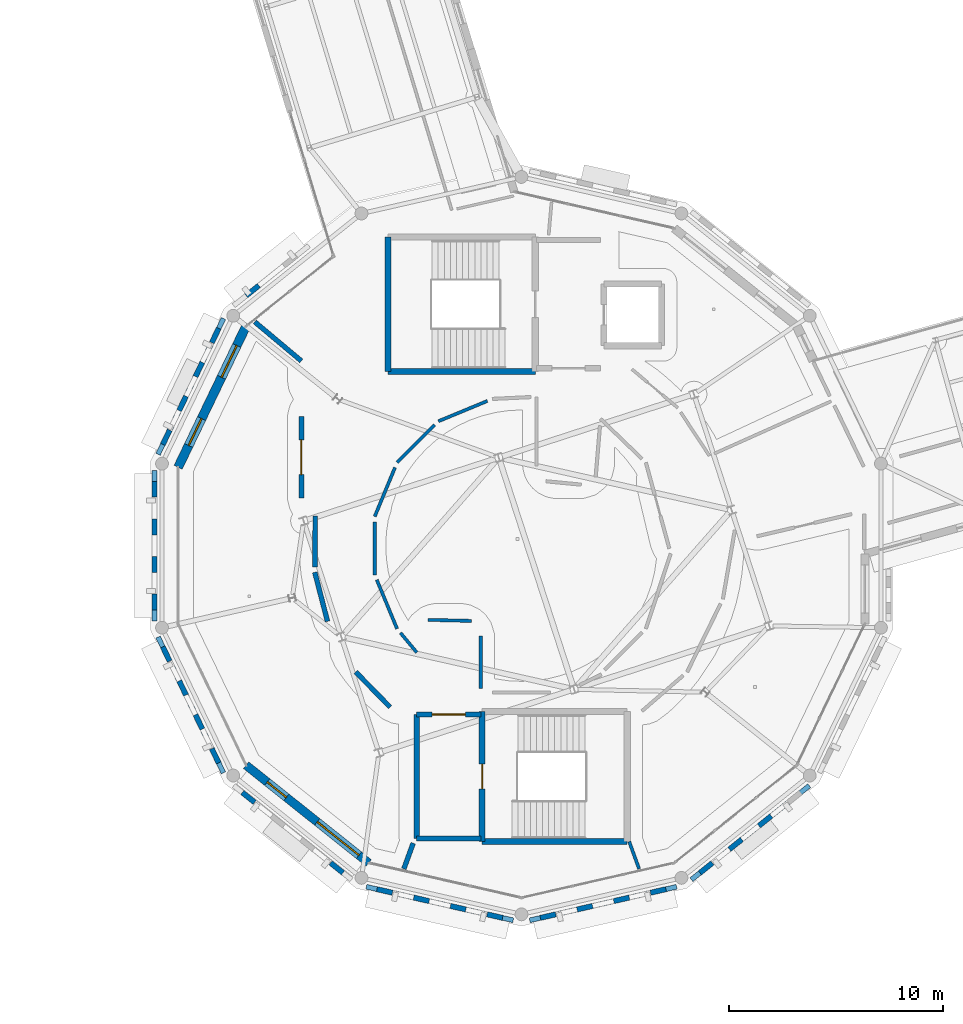
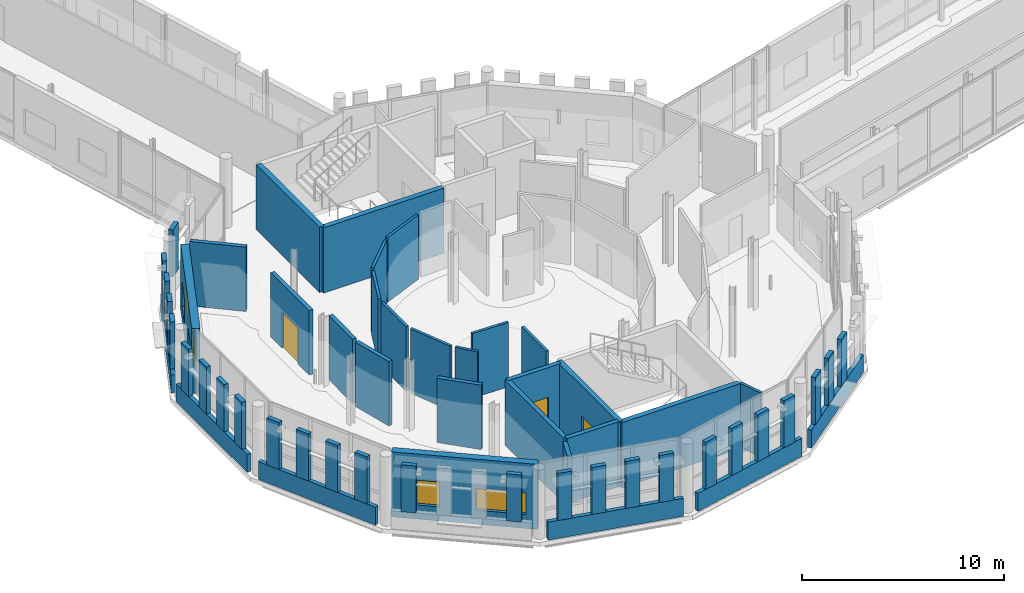
# One storey, part 87 of 125: 56 walls, 4 windows, 3 doors, 7 openings.
"""IFC4 building model written with IfcOpenShell, lengths in metres."""

from ifc_helpers import new_model, si_unit, direction, frame, frame_2d, origin, place, context, subcontext, project, spatial, rectangle, extrude, material, layer, layer_set, type_object, element, fill, save


model = new_model("IFC4")

# Units and contexts
model_context = context("Model", 3, precision=1e-05, world=origin(), true_north=direction((0.0, 1.0)))
body_context = subcontext(model_context, "Body", "Model", "MODEL_VIEW")
ifc_project = project(units=[si_unit("LENGTHUNIT", "METRE"), si_unit("AREAUNIT", "SQUARE_METRE"), si_unit("VOLUMEUNIT", "CUBIC_METRE"), si_unit("PLANEANGLEUNIT", "RADIAN"), si_unit("MASSUNIT", "GRAM", prefix="KILO")], contexts=[model_context])

# Site, building, storey
site_placement = place(None, origin())
site = spatial("IfcSite", under=ifc_project, at=site_placement, CompositionType="ELEMENT")
building_placement = place(site_placement, origin())
building = spatial("IfcBuilding", under=site, at=building_placement, Name="Wrenclough Park School", CompositionType="ELEMENT")
storey_placement = place(building_placement, frame((0.0, 0.0, 4.199951171875)))
storey = spatial("IfcBuildingStorey", under=building, at=storey_placement, Name="L01", CompositionType="ELEMENT", Elevation=4.199951171875)

# Walls
ifc_material_1 = material(Name="Perforated open-bond Staffordshire and Manchester brick screen pier", Category="masonry")
ifc_layer_1 = layer(ifc_material_1, 0.2451171875)
ifc_layer_set_1 = layer_set([ifc_layer_1], Name="Perforated open-bond Staffordshire and Manchester brick screen pier")
wall_type_1 = type_object("IfcWallType", Name="ENV-BS-PR245", PredefinedType="ELEMENTEDWALL", material=ifc_layer_set_1)
wall_1_placement = place(storey_placement, frame((24.213134765625, 35.667724609375, 1.090087890625), z_axis=(0.0, 0.0, 1.0), x_axis=(-0.781839347248, -0.623479939609, 0.0)))
element("IfcWall", 1, at=wall_1_placement, inside=storey, type_object=wall_type_1, Name="D2 L01 perforated brick screen pier 0242", PredefinedType="ELEMENTEDWALL", context=body_context, shape_type="SweptSolid", body=[
    extrude(rectangle(XDim=0.760009765625, YDim=0.2451171875, at=frame_2d((0.3798828125, 0.0))), origin(), (0.0, 0.0, 1.0), 2.849853515625),
])
for number, where, z_axis, x_axis, name in (
    (2, (22.333984375, 33.665283203125, 1.090087890625), (0.0, 0.0, 1.0), (-0.433835457528, -0.900992117497, 0.0), "D2 L01 perforated brick screen pier 0243"),
    (3, (21.569580078125, 32.078125, 1.090087890625), (0.0, 0.0, 1.0), (-0.433835457528, -0.900992117497, 0.0), "D2 L01 perforated brick screen pier 0244"),
    (4, (20.805419921875, 30.49072265625, 1.090087890625), (0.0, 0.0, 1.0), (-0.434232252623, -0.90080094959, 0.0), "D2 L01 perforated brick screen pier 0245"),
):
    element("IfcWall", number, at=place(storey_placement, frame(where, z_axis=z_axis, x_axis=x_axis)), inside=storey, type_object=wall_type_1, Name=name, PredefinedType="ELEMENTEDWALL", context=body_context, shape_type="SweptSolid", body=[
        extrude(rectangle(XDim=0.739990234375, YDim=0.2451171875, at=frame_2d((0.3701171875, 0.0))), origin(), (0.0, 0.0, 1.0), 2.849853515625),
    ])
wall_2_placement = place(storey_placement, frame((20.041015625, 28.903564453125, 1.090087890625), z_axis=(0.0, 0.0, 1.0), x_axis=(-0.434103218961, -0.900863139044, 0.0)))
element("IfcWall", 5, at=wall_2_placement, inside=storey, type_object=wall_type_1, Name="D2 L01 perforated brick screen pier 0246", PredefinedType="ELEMENTEDWALL", context=body_context, shape_type="SweptSolid", body=[
    extrude(rectangle(XDim=0.740234375, YDim=0.2451171875, at=frame_2d((0.3701171875, 0.0))), origin(), (0.0, 0.0, 1.0), 2.849853515625),
])
for number, where, z_axis, x_axis, name in (
    (6, (19.326416015625, 26.51220703125, 1.090087890625), (0.0, 0.0, 1.0), (0.0, -1.0, 0.0), "D2 L01 perforated brick screen pier 0247"),
    (7, (19.326416015625, 24.750732421875, 1.090087890625), (0.0, 0.0, 1.0), (0.0, -1.0, 0.0), "D2 L01 perforated brick screen pier 0248"),
    (8, (19.326416015625, 22.9892578125, 1.090087890625), (0.0, 0.0, 1.0), (0.0, -1.0, 0.0), "D2 L01 perforated brick screen pier 0249"),
    (9, (19.326416015625, 21.227783203125, 1.090087890625), (0.0, 0.0, 1.0), (0.0, -1.0, 0.0), "D2 L01 perforated brick screen pier 0250"),
    (10, (19.719970703125, 18.76318359375, 1.090087890625), (0.0, 0.0, 1.0), (0.433835457528, -0.900992117497, 0.0), "D2 L01 perforated brick screen pier 0251"),
    (11, (20.484130859375, 17.17578125, 1.090087890625), (0.0, 0.0, 1.0), (0.434232252623, -0.90080094959, 0.0), "D2 L01 perforated brick screen pier 0252"),
    (12, (21.24853515625, 15.588623046875, 1.090087890625), (0.0, 0.0, 1.0), (0.433835457528, -0.900992117497, 0.0), "D2 L01 perforated brick screen pier 0253"),
    (13, (22.012939453125, 14.00146484375, 1.090087890625), (0.0, 0.0, 1.0), (0.433835457528, -0.900992117497, 0.0), "D2 L01 perforated brick screen pier 0254"),
    (14, (23.4365234375, 11.95166015625, 1.090087890625), (0.0, 0.0, 1.0), (0.781833401173, -0.623487395872, 0.0), "D2 L01 perforated brick screen pier 0255"),
    (15, (27.56884765625, 8.65625, 1.090087890625), (0.0, 0.0, 1.0), (0.781833401173, -0.623487395872, 0.0), "D2 L01 perforated brick screen pier 0258"),
    (16, (29.740966796875, 7.427490234375, 1.090087890625), (0.0, 0.0, 1.0), (0.974889210585, -0.222690428814, 0.0), "D2 L01 perforated brick screen pier 0259"),
    (17, (31.458740234375, 7.035400390625, 1.090087890625), (0.0, 0.0, 1.0), (0.974889210585, -0.222690428814, 0.0), "D2 L01 perforated brick screen pier 0260"),
):
    element("IfcWall", number, at=place(storey_placement, frame(where, z_axis=z_axis, x_axis=x_axis)), inside=storey, type_object=wall_type_1, Name=name, PredefinedType="ELEMENTEDWALL", context=body_context, shape_type="SweptSolid", body=[
        extrude(rectangle(XDim=0.739990234375, YDim=0.2451171875, at=frame_2d((0.3701171875, 0.0))), origin(), (0.0, 0.0, 1.0), 2.849853515625),
    ])
wall_3_placement = place(storey_placement, frame((33.176513671875, 6.643310546875, 1.090087890625), z_axis=(0.0, 0.0, 1.0), x_axis=(0.974872842026, -0.2227620746, 0.0)))
element("IfcWall", 18, at=wall_3_placement, inside=storey, type_object=wall_type_1, Name="D2 L01 perforated brick screen pier 0261", PredefinedType="ELEMENTEDWALL", context=body_context, shape_type="SweptSolid", body=[
    extrude(rectangle(XDim=0.73974609375, YDim=0.2451171875, at=frame_2d((0.369873046875, 0.0))), origin(), (0.0, 0.0, 1.0), 2.849853515625),
])
wall_4_placement = place(storey_placement, frame((34.89404296875, 6.251220703125, 1.090087890625), z_axis=(0.0, 0.0, 1.0), x_axis=(0.974889210585, -0.222690428814, 0.0)))
element("IfcWall", 19, at=wall_4_placement, inside=storey, type_object=wall_type_1, Name="D2 L01 perforated brick screen pier 0262", PredefinedType="ELEMENTEDWALL", context=body_context, shape_type="SweptSolid", body=[
    extrude(rectangle(XDim=0.739990234375, YDim=0.2451171875, at=frame_2d((0.3701171875, 0.0))), origin(), (0.0, 0.0, 1.0), 2.849853515625),
])
wall_5_placement = place(storey_placement, frame((37.384521484375, 6.08642578125, 1.090087890625), z_axis=(0.0, 0.0, 1.0), x_axis=(0.974872842026, 0.2227620746, 0.0)))
element("IfcWall", 20, at=wall_5_placement, inside=storey, type_object=wall_type_1, Name="D2 L01 perforated brick screen pier 0263", PredefinedType="ELEMENTEDWALL", context=body_context, shape_type="SweptSolid", body=[
    extrude(rectangle(XDim=0.73974609375, YDim=0.2451171875, at=frame_2d((0.369873046875, 0.0))), origin(), (0.0, 0.0, 1.0), 2.849853515625),
])
wall_6_placement = place(storey_placement, frame((39.101806640625, 6.478515625, 1.090087890625), z_axis=(0.0, 0.0, 1.0), x_axis=(0.974960788757, 0.222376843189, 0.0)))
element("IfcWall", 21, at=wall_6_placement, inside=storey, type_object=wall_type_1, Name="D2 L01 perforated brick screen pier 0264", PredefinedType="ELEMENTEDWALL", context=body_context, shape_type="SweptSolid", body=[
    extrude(rectangle(XDim=0.739990234375, YDim=0.2451171875, at=frame_2d((0.3701171875, 0.0))), origin(), (0.0, 0.0, 1.0), 2.849853515625),
])
wall_7_placement = place(storey_placement, frame((40.819091796875, 6.87060546875, 1.090087890625), z_axis=(0.0, 0.0, 1.0), x_axis=(0.974977096703, 0.222305332604, 0.0)))
element("IfcWall", 22, at=wall_7_placement, inside=storey, type_object=wall_type_1, Name="D2 L01 perforated brick screen pier 0265", PredefinedType="ELEMENTEDWALL", context=body_context, shape_type="SweptSolid", body=[
    extrude(rectangle(XDim=0.740234375, YDim=0.2451171875, at=frame_2d((0.3701171875, 0.0))), origin(), (0.0, 0.0, 1.0), 2.849853515625),
])
for number, where, z_axis, x_axis, name in (
    (23, (42.53662109375, 7.262451171875, 1.090087890625), (0.0, 0.0, 1.0), (0.974960788757, 0.222376843189, 0.0), "D2 L01 perforated brick screen pier 0266"),
    (24, (44.85205078125, 8.1943359375, 1.090087890625), (0.0, 0.0, 1.0), (0.781833401173, 0.623487395872, 0.0), "D2 L01 perforated brick screen pier 0267"),
    (25, (46.2294921875, 9.29296875, 1.090087890625), (0.0, 0.0, 1.0), (0.781833401173, 0.623487395872, 0.0), "D2 L01 perforated brick screen pier 0268"),
    (26, (47.607177734375, 10.3916015625, 1.090087890625), (0.0, 0.0, 1.0), (0.781994216279, 0.623285685465, 0.0), "D2 L01 perforated brick screen pier 0269"),
):
    element("IfcWall", number, at=place(storey_placement, frame(where, z_axis=z_axis, x_axis=x_axis)), inside=storey, type_object=wall_type_1, Name=name, PredefinedType="ELEMENTEDWALL", context=body_context, shape_type="SweptSolid", body=[
        extrude(rectangle(XDim=0.739990234375, YDim=0.2451171875, at=frame_2d((0.3701171875, 0.0))), origin(), (0.0, 0.0, 1.0), 2.849853515625),
    ])
ifc_material_2 = material(Name="Open-bond Manchester multi-stock brick spandrel screen", Category="masonry")
ifc_layer_2 = layer(ifc_material_2, 0.22509765625)
ifc_layer_set_2 = layer_set([ifc_layer_2], Name="Open-bond Manchester multi-stock brick spandrel screen")
wall_type_2 = type_object("IfcWallType", Name="ENV-BS-SP225", PredefinedType="ELEMENTEDWALL", material=ifc_layer_set_2)
wall_8_placement = place(storey_placement, frame((22.5556640625, 34.12548828125, 0.0), z_axis=(0.0, 0.0, 1.0), x_axis=(-0.433873953058, -0.900973580555, 0.0)))
element("IfcWall", 27, at=wall_8_placement, inside=storey, type_object=wall_type_2, Name="D2 L01 open-bond brick screen spandrel 0066", PredefinedType="ELEMENTEDWALL", context=body_context, shape_type="SweptSolid", body=[
    extrude(rectangle(XDim=7.046630859375, YDim=0.22509765625, at=frame_2d((3.5234375, 0.0))), origin(), (0.0, 0.0, 1.0), 1.090087890625),
])
wall_9_placement = place(storey_placement, frame((19.326416015625, 27.02294921875, 0.0), z_axis=(0.0, 0.0, 1.0), x_axis=(0.0, -1.0, 0.0)))
element("IfcWall", 28, at=wall_9_placement, inside=storey, type_object=wall_type_2, Name="D2 L01 open-bond brick screen spandrel 0067", PredefinedType="ELEMENTEDWALL", context=body_context, shape_type="SweptSolid", body=[
    extrude(rectangle(XDim=7.0458984375, YDim=0.22509765625, at=frame_2d((3.52294921875, 0.0))), origin(), (0.0, 0.0, 1.0), 1.090087890625),
])
wall_10_placement = place(storey_placement, frame((19.498291015625, 19.223388671875, 0.0), z_axis=(0.0, 0.0, 1.0), x_axis=(0.433873953058, -0.900973580555, 0.0)))
element("IfcWall", 29, at=wall_10_placement, inside=storey, type_object=wall_type_2, Name="D2 L01 open-bond brick screen spandrel 0068", PredefinedType="ELEMENTEDWALL", context=body_context, shape_type="SweptSolid", body=[
    extrude(rectangle(XDim=7.046630859375, YDim=0.22509765625, at=frame_2d((3.5234375, 0.0))), origin(), (0.0, 0.0, 1.0), 1.090087890625),
])
wall_11_placement = place(storey_placement, frame((29.242919921875, 7.541015625, 0.0), z_axis=(0.0, 0.0, 1.0), x_axis=(0.974929624622, -0.222513431133, 0.0)))
element("IfcWall", 30, at=wall_11_placement, inside=storey, type_object=wall_type_2, Name="D2 L01 open-bond brick screen spandrel 0070", PredefinedType="ELEMENTEDWALL", context=body_context, shape_type="SweptSolid", body=[
    extrude(rectangle(XDim=7.04736328125, YDim=0.22509765625, at=frame_2d((3.523681640625, 0.0))), origin(), (0.0, 0.0, 1.0), 1.090087890625),
])
wall_12_placement = place(storey_placement, frame((36.886474609375, 5.972900390625, 0.0), z_axis=(0.0, 0.0, 1.0), x_axis=(0.974930278984, 0.222510564064, 0.0)))
element("IfcWall", 31, at=wall_12_placement, inside=storey, type_object=wall_type_2, Name="D2 L01 open-bond brick screen spandrel 0071", PredefinedType="ELEMENTEDWALL", context=body_context, shape_type="SweptSolid", body=[
    extrude(rectangle(XDim=7.04638671875, YDim=0.22509765625, at=frame_2d((3.523193359375, 0.0))), origin(), (0.0, 0.0, 1.0), 1.090087890625),
])
wall_13_placement = place(storey_placement, frame((44.452392578125, 7.875732421875, 0.0), z_axis=(0.0, 0.0, 1.0), x_axis=(0.781844515492, 0.623473458613, 0.0)))
element("IfcWall", 32, at=wall_13_placement, inside=storey, type_object=wall_type_2, Name="D2 L01 open-bond brick screen spandrel 0072", PredefinedType="ELEMENTEDWALL", context=body_context, shape_type="SweptSolid", body=[
    extrude(rectangle(XDim=7.048095703125, YDim=0.22509765625, at=frame_2d((3.52392578125, 0.0))), origin(), (0.0, 0.0, 1.0), 1.090087890625),
])

# Wall, openings, windows
ifc_material_3 = material(Name="Staffordshire blue-grey brick and Concrete C40/50 acoustic leaf", Category="masonry")
ifc_layer_3 = layer(ifc_material_3, 0.39990234375)
ifc_layer_set_3 = layer_set([ifc_layer_3], Name="Staffordshire blue-grey brick and Concrete C40/50 acoustic leaf")
wall_type_3 = type_object("IfcWallType", Name="ENV-EW-400", PredefinedType="SOLIDWALL", material=ifc_layer_set_3)
wall_14_placement = place(storey_placement, frame((29.350830078125, 8.65478515625, 0.0), z_axis=(0.0, 0.0, 1.0), x_axis=(-0.781819636461, 0.623504655992, 0.0)))
wall_14 = element("IfcWall", 33, at=wall_14_placement, inside=storey, type_object=wall_type_3, Name="L01 insulated brick external wall 0076", PredefinedType="SOLIDWALL", context=body_context, shape_type="SweptSolid", body=[
    extrude(rectangle(XDim=7.332763671875, YDim=0.39990234375, at=frame_2d((3.66650390625, 0.0))), origin(), (0.0, 0.0, 1.0), 3.93994140625),
])
opening_1_placement = place(wall_14_placement, frame((0.583251953125, 0.0, 0.85009765625)))
opening_1 = element("IfcOpeningElement", 34, at=opening_1_placement, cuts=wall_14, Name="Opening WN-49", PredefinedType="OPENING", context=body_context, shape_type="SweptSolid", body=[
    extrude(rectangle(XDim=2.5, YDim=1.300048828125, at=frame_2d((1.25, 0.64990234375))), frame((0.0, 0.2099609375, 0.0), z_axis=(0.0, -1.0, 0.0), x_axis=(1.0, 0.0, 0.0)), (0.0, 0.0, 1.0), 0.419921875),
])
opening_2_placement = place(wall_14_placement, frame((4.924560546875, 0.0, 0.85009765625)))
opening_2 = element("IfcOpeningElement", 35, at=opening_2_placement, cuts=wall_14, Name="Opening WN-50", PredefinedType="OPENING", context=body_context, shape_type="SweptSolid", body=[
    extrude(rectangle(XDim=1.14990234375, YDim=1.5, at=frame_2d((0.574951171875, 0.75))), frame((0.0, 0.2099609375, 0.0), z_axis=(0.0, -1.0, 0.0), x_axis=(1.0, 0.0, 0.0)), (0.0, 0.0, 1.0), 0.419921875),
])
ifc_material_4 = material(Name="Thermally broken aluminium and double-glazed low-e glass", Category="aluminium")
window_type_1 = type_object("IfcWindowType", Name="ENV-WN-49", PartitioningType="DOUBLE_PANEL_VERTICAL", PredefinedType="WINDOW", material=ifc_material_4)
window_1_placement = place(opening_1_placement, origin())
window_1 = element("IfcWindow", 36, at=window_1_placement, inside=storey, type_object=window_type_1, Name="L01 scheduled facade window 0104", OverallHeight=1.300048828125, OverallWidth=2.5, PartitioningType="SINGLE_PANEL", PredefinedType="WINDOW", context=body_context, shape_type="SweptSolid", body=[
    extrude(rectangle(XDim=2.5, YDim=1.300048828125, at=frame_2d((1.25, 0.64990234375))), frame((0.0, 0.030029296875, 0.0), z_axis=(0.0, -1.0, 0.0), x_axis=(1.0, 0.0, 0.0)), (0.0, 0.0, 1.0), 0.06005859375),
])
fill(opening_1, window_1)
window_type_2 = type_object("IfcWindowType", Name="ENV-WN-50", PartitioningType="SINGLE_PANEL", PredefinedType="WINDOW", material=ifc_material_4)
window_2_placement = place(opening_2_placement, origin())
window_2 = element("IfcWindow", 37, at=window_2_placement, inside=storey, type_object=window_type_2, Name="L01 scheduled facade window 0105", OverallHeight=1.5, OverallWidth=1.14990234375, PartitioningType="SINGLE_PANEL", PredefinedType="WINDOW", context=body_context, shape_type="SweptSolid", body=[
    extrude(rectangle(XDim=1.14990234375, YDim=1.5, at=frame_2d((0.574951171875, 0.75))), frame((0.0, 0.030029296875, 0.0), z_axis=(0.0, -1.0, 0.0), x_axis=(1.0, 0.0, 0.0)), (0.0, 0.0, 1.0), 0.06005859375),
])
fill(opening_2, window_2)

ifc_material_5 = material(Name="Insulated brick-clad sports hall wall Concrete C40/50", Category="masonry")
ifc_layer_4 = layer(ifc_material_5, 0.425048828125)
ifc_layer_set_4 = layer_set([ifc_layer_4], Name="Insulated brick-clad sports hall wall Concrete C40/50")
wall_type_4 = type_object("IfcWallType", Name="ENV-EW-425", PredefinedType="SOLIDWALL", material=ifc_layer_set_4)
wall_15_placement = place(storey_placement, frame((20.436279296875, 27.16650390625, 0.0), z_axis=(0.0, 0.0, 1.0), x_axis=(0.433886691468, 0.900967446119, 0.0)))
wall_15 = element("IfcWall", 38, at=wall_15_placement, inside=storey, type_object=wall_type_4, Name="L01 insulated brick external wall 0077", PredefinedType="SOLIDWALL", context=body_context, shape_type="SweptSolid", body=[
    extrude(rectangle(XDim=7.332763671875, YDim=0.425048828125, at=frame_2d((3.66650390625, 0.0))), origin(), (0.0, 0.0, 1.0), 3.93994140625),
])
opening_3_placement = place(wall_15_placement, frame((1.13330078125, 0.0, 0.85009765625)))
opening_3 = element("IfcOpeningElement", 39, at=opening_3_placement, cuts=wall_15, Name="Opening WN-51", PredefinedType="OPENING", context=body_context, shape_type="SweptSolid", body=[
    extrude(rectangle(XDim=1.39990234375, YDim=1.5, at=frame_2d((0.699951171875, 0.75))), frame((0.0, 0.222412109375, 0.0), z_axis=(0.0, -1.0, 0.0), x_axis=(1.0, 0.0, 0.0)), (0.0, 0.0, 1.0), 0.445068359375),
])
opening_4_placement = place(wall_15_placement, frame((4.6748046875, 0.0, 0.85009765625)))
opening_4 = element("IfcOpeningElement", 40, at=opening_4_placement, cuts=wall_15, Name="Opening WN-52", PredefinedType="OPENING", context=body_context, shape_type="SweptSolid", body=[
    extrude(rectangle(XDim=1.64990234375, YDim=1.5, at=frame_2d((0.824951171875, 0.75))), frame((0.0, 0.222412109375, 0.0), z_axis=(0.0, -1.0, 0.0), x_axis=(1.0, 0.0, 0.0)), (0.0, 0.0, 1.0), 0.445068359375),
])
window_type_3 = type_object("IfcWindowType", Name="ENV-WN-51", PartitioningType="SINGLE_PANEL", PredefinedType="WINDOW", material=ifc_material_4)
window_3_placement = place(opening_3_placement, origin())
window_3 = element("IfcWindow", 41, at=window_3_placement, inside=storey, type_object=window_type_3, Name="L01 scheduled facade window 0106", OverallHeight=1.5, OverallWidth=1.39990234375, PartitioningType="SINGLE_PANEL", PredefinedType="WINDOW", context=body_context, shape_type="SweptSolid", body=[
    extrude(rectangle(XDim=1.39990234375, YDim=1.5, at=frame_2d((0.699951171875, 0.75))), frame((0.0, 0.030029296875, 0.0), z_axis=(0.0, -1.0, 0.0), x_axis=(1.0, 0.0, 0.0)), (0.0, 0.0, 1.0), 0.06005859375),
])
fill(opening_3, window_3)
window_type_4 = type_object("IfcWindowType", Name="ENV-WN-52", PartitioningType="DOUBLE_PANEL_VERTICAL", PredefinedType="WINDOW", material=ifc_material_4)
window_4_placement = place(opening_4_placement, origin())
window_4 = element("IfcWindow", 42, at=window_4_placement, inside=storey, type_object=window_type_4, Name="L01 scheduled facade window 0107", OverallHeight=1.5, OverallWidth=1.64990234375, PartitioningType="SINGLE_PANEL", PredefinedType="WINDOW", context=body_context, shape_type="SweptSolid", body=[
    extrude(rectangle(XDim=1.64990234375, YDim=1.5, at=frame_2d((0.824951171875, 0.75))), frame((0.0, 0.030029296875, 0.0), z_axis=(0.0, -1.0, 0.0), x_axis=(1.0, 0.0, 0.0)), (0.0, 0.0, 1.0), 0.06005859375),
])
fill(opening_4, window_4)

# Wall
ifc_material_6 = material(Name="Concrete C35/45", Category="concrete")
ifc_layer_5 = layer(ifc_material_6, 0.25)
ifc_layer_set_5 = layer_set([ifc_layer_5], Name="Concrete C35/45")
wall_type_5 = type_object("IfcWallType", Name="INT-CW-250", PredefinedType="SHEAR", material=ifc_layer_set_5)
wall_16_placement = place(storey_placement, frame((31.60009765625, 9.800048828125, 0.0), z_axis=(0.0, 0.0, 1.0), x_axis=(1.0, 0.0, 0.0)))
element("IfcWall", 43, at=wall_16_placement, inside=storey, type_object=wall_type_5, Name="Core C2B L01 lobby fire wall south", PredefinedType="SHEAR", context=body_context, shape_type="SweptSolid", body=[
    extrude(rectangle(XDim=3.0, YDim=0.25, at=frame_2d((1.5, 0.0))), origin(), (0.0, 0.0, 1.0), 3.949951171875),
])

# Wall, opening, door
wall_17_placement = place(storey_placement, frame((34.60009765625, 15.60009765625, 0.0), z_axis=(0.0, 0.0, 1.0), x_axis=(-1.0, 0.0, 0.0)))
wall_17 = element("IfcWall", 44, at=wall_17_placement, inside=storey, type_object=wall_type_5, Name="Core C2B L01 lobby fire wall north", PredefinedType="SHEAR", context=body_context, shape_type="SweptSolid", body=[
    extrude(rectangle(XDim=3.0, YDim=0.25, at=frame_2d((1.5, 0.0))), origin(), (0.0, 0.0, 1.0), 3.949951171875),
])
opening_5_placement = place(wall_17_placement, frame((0.72509765625, 0.0, 0.0)))
opening_5 = element("IfcOpeningElement", 45, at=opening_5_placement, cuts=wall_17, Name="Opening DLB-C2B-L01", PredefinedType="OPENING", context=body_context, shape_type="SweptSolid", body=[
    extrude(rectangle(XDim=1.550048828125, YDim=2.14990234375, at=frame_2d((0.77490234375, 1.074951171875))), frame((0.0, 0.135009765625, 0.0), z_axis=(0.0, -1.0, 0.0), x_axis=(1.0, 0.0, 0.0)), (0.0, 0.0, 1.0), 0.27001953125),
])
ifc_material_7 = material(Name="Protected stair lobby double fire door assembly", Category="wood")
door_type_1 = type_object("IfcDoorType", Name="INT-DR-LB155", OperationType="NOTDEFINED", PredefinedType="DOOR", material=ifc_material_7)
door_1_placement = place(opening_5_placement, origin())
door_1 = element("IfcDoor", 46, at=door_1_placement, inside=storey, type_object=door_type_1, Name="Core C2B L01 protected lobby fire door", OperationType="DOUBLE_DOOR_SINGLE_SWING", OverallHeight=2.14990234375, OverallWidth=1.550048828125, PredefinedType="DOOR", context=body_context, shape_type="SweptSolid", body=[
    extrude(rectangle(XDim=1.550048828125, YDim=2.14990234375, at=frame_2d((0.77490234375, 1.074951171875))), frame((0.0, 0.02490234375, 0.0), z_axis=(0.0, -1.0, 0.0), x_axis=(1.0, 0.0, 0.0)), (0.0, 0.0, 1.0), 0.050048828125),
])
fill(opening_5, door_1)

# Walls
wall_18_placement = place(storey_placement, frame((31.60009765625, 15.60009765625, 0.0), z_axis=(0.0, 0.0, 1.0), x_axis=(0.0, -1.0, 0.0)))
element("IfcWall", 47, at=wall_18_placement, inside=storey, type_object=wall_type_5, Name="Core C2B L01 lobby fire wall west", PredefinedType="SHEAR", context=body_context, shape_type="SweptSolid", body=[
    extrude(rectangle(XDim=5.800048828125, YDim=0.25, at=frame_2d((2.89990234375, 0.0))), origin(), (0.0, 0.0, 1.0), 3.949951171875),
])
ifc_material_8 = material(Name="Concrete C40/50", Category="concrete")
ifc_layer_6 = layer(ifc_material_8, 0.2900390625)
ifc_layer_set_6 = layer_set([ifc_layer_6], Name="Concrete C40/50")
wall_type_6 = type_object("IfcWallType", Name="INT-CW-290", PredefinedType="SHEAR", material=ifc_layer_set_6)
wall_19_placement = place(storey_placement, frame((30.2548828125, 31.655029296875, 0.0), z_axis=(0.0, 0.0, 1.0), x_axis=(1.0, 0.0, 0.0)))
element("IfcWall", 48, at=wall_19_placement, inside=storey, type_object=wall_type_6, Name="Core C2 L01 south shear wall", PredefinedType="SHEAR", context=body_context, shape_type="SweptSolid", body=[
    extrude(rectangle(XDim=6.89013671875, YDim=0.2900390625, at=frame_2d((3.445068359375, 0.0))), origin(), (0.0, 0.0, 1.0), 3.949951171875),
])
wall_20_placement = place(storey_placement, frame((30.2548828125, 37.945068359375, 0.0), z_axis=(0.0, 0.0, 1.0), x_axis=(0.0, -1.0, 0.0)))
element("IfcWall", 49, at=wall_20_placement, inside=storey, type_object=wall_type_6, Name="Core C2 L01 west shear wall", PredefinedType="SHEAR", context=body_context, shape_type="SweptSolid", body=[
    extrude(rectangle(XDim=6.2900390625, YDim=0.2900390625, at=frame_2d((3.14501953125, 0.0))), origin(), (0.0, 0.0, 1.0), 3.949951171875),
])
wall_21_placement = place(storey_placement, frame((34.655029296875, 9.655029296875, 0.0), z_axis=(0.0, 0.0, 1.0), x_axis=(1.0, 0.0, 0.0)))
element("IfcWall", 50, at=wall_21_placement, inside=storey, type_object=wall_type_6, Name="Core C2B L01 south shear wall", PredefinedType="SHEAR", context=body_context, shape_type="SweptSolid", body=[
    extrude(rectangle(XDim=6.7900390625, YDim=0.2900390625, at=frame_2d((3.39501953125, 0.0))), origin(), (0.0, 0.0, 1.0), 3.949951171875),
])

# Wall, opening, door
wall_22_placement = place(storey_placement, frame((34.655029296875, 15.7451171875, 0.0), z_axis=(0.0, 0.0, 1.0), x_axis=(0.0, -1.0, 0.0)))
wall_22 = element("IfcWall", 51, at=wall_22_placement, inside=storey, type_object=wall_type_6, Name="Core C2B L01 west shear wall", PredefinedType="SHEAR", context=body_context, shape_type="SweptSolid", body=[
    extrude(rectangle(XDim=6.090087890625, YDim=0.2900390625, at=frame_2d((3.044921875, 0.0))), origin(), (0.0, 0.0, 1.0), 3.949951171875),
])
opening_6_placement = place(wall_22_placement, frame((2.469970703125, 0.0, 0.0)))
opening_6 = element("IfcOpeningElement", 52, at=opening_6_placement, cuts=wall_22, Name="Opening DST-C2B-L01", PredefinedType="OPENING", context=body_context, shape_type="SweptSolid", body=[
    extrude(rectangle(XDim=1.14990234375, YDim=2.10009765625, at=frame_2d((0.574951171875, 1.050048828125))), frame((0.0, 0.155029296875, 0.0), z_axis=(0.0, -1.0, 0.0), x_axis=(1.0, 0.0, 0.0)), (0.0, 0.0, 1.0), 0.31005859375),
])
ifc_material_9 = material(Name="Protected escape stair single fire door assembly", Category="wood")
door_type_2 = type_object("IfcDoorType", Name="INT-DR-ST115", OperationType="NOTDEFINED", PredefinedType="DOOR", material=ifc_material_9)
door_2_placement = place(opening_6_placement, origin())
door_2 = element("IfcDoor", 53, at=door_2_placement, inside=storey, type_object=door_type_2, Name="Stair ST-13 L01 fire door", OperationType="SINGLE_SWING_RIGHT", OverallHeight=2.10009765625, OverallWidth=1.14990234375, PredefinedType="DOOR", context=body_context, shape_type="SweptSolid", body=[
    extrude(rectangle(XDim=1.14990234375, YDim=2.10009765625, at=frame_2d((0.574951171875, 1.050048828125))), frame((0.0, 0.02490234375, 0.0), z_axis=(0.0, -1.0, 0.0), x_axis=(1.0, 0.0, 0.0)), (0.0, 0.0, 1.0), 0.050048828125),
])
fill(opening_6, door_2)

# Walls
ifc_material_10 = material(Name="Protected corridor partition", Category="gypsum")
ifc_layer_7 = layer(ifc_material_10, 0.14990234375)
ifc_layer_set_7 = layer_set([ifc_layer_7], Name="Protected corridor partition")
wall_type_7 = type_object("IfcWallType", Name="INT-PW-150", PredefinedType="PARTITIONING", material=ifc_layer_set_7)
wall_23_placement = place(storey_placement, frame((41.539306640625, 9.655029296875, 0.0), z_axis=(0.0, 0.0, 1.0), x_axis=(0.341945571893, -0.939719759217, 0.0)))
element("IfcWall", 54, at=wall_23_placement, inside=storey, type_object=wall_type_7, Name="L01 internal partition 0212", PredefinedType="PARTITIONING", context=body_context, shape_type="SweptSolid", body=[
    extrude(rectangle(XDim=1.355224609375, YDim=0.14990234375, at=frame_2d((0.677734375, 0.0))), origin(), (0.0, 0.0, 1.0), 3.900146484375),
])
wall_24_placement = place(storey_placement, frame((34.90380859375, 30.27001953125, 0.0), z_axis=(0.0, 0.0, 1.0), x_axis=(-0.92387534344, -0.38269354552, 0.0)))
element("IfcWall", 55, at=wall_24_placement, inside=storey, type_object=wall_type_7, Name="L01 internal partition 0228", PredefinedType="PARTITIONING", context=body_context, shape_type="SweptSolid", body=[
    extrude(rectangle(XDim=2.481689453125, YDim=0.14990234375, at=frame_2d((1.24072265625, 0.0))), origin(), (0.0, 0.0, 1.0), 3.900146484375),
])
for number, where, z_axis, x_axis, name in (
    (56, (32.43408203125, 29.1435546875, 0.0), (0.0, 0.0, 1.0), (-0.707057582593, -0.707155976357, 0.0), "L01 internal partition 0229"),
    (57, (30.583984375, 27.157958984375, 0.0), (0.0, 0.0, 1.0), (-0.382644350776, -0.923895719667, 0.0), "L01 internal partition 0230"),
):
    element("IfcWall", number, at=place(storey_placement, frame(where, z_axis=z_axis, x_axis=x_axis)), inside=storey, type_object=wall_type_7, Name=name, PredefinedType="PARTITIONING", context=body_context, shape_type="SweptSolid", body=[
        extrude(rectangle(XDim=2.481201171875, YDim=0.14990234375, at=frame_2d((1.24072265625, 0.0))), origin(), (0.0, 0.0, 1.0), 3.900146484375),
    ])
wall_25_placement = place(storey_placement, frame((29.634521484375, 24.615478515625, 0.0), z_axis=(0.0, 0.0, 1.0), x_axis=(0.0, -1.0, 0.0)))
element("IfcWall", 58, at=wall_25_placement, inside=storey, type_object=wall_type_7, Name="L01 internal partition 0231", PredefinedType="PARTITIONING", context=body_context, shape_type="SweptSolid", body=[
    extrude(rectangle(XDim=2.48095703125, YDim=0.14990234375, at=frame_2d((1.240478515625, 0.0))), origin(), (0.0, 0.0, 1.0), 3.900146484375),
])
wall_26_placement = place(storey_placement, frame((29.730224609375, 21.9033203125, 0.0), z_axis=(0.0, 0.0, 1.0), x_axis=(0.382679137355, -0.923881311551, 0.0)))
element("IfcWall", 59, at=wall_26_placement, inside=storey, type_object=wall_type_7, Name="L01 internal partition 0232", PredefinedType="PARTITIONING", context=body_context, shape_type="SweptSolid", body=[
    extrude(rectangle(XDim=2.481201171875, YDim=0.14990234375, at=frame_2d((1.24072265625, 0.0))), origin(), (0.0, 0.0, 1.0), 3.900146484375),
])
wall_27_placement = place(storey_placement, frame((30.839599609375, 19.4189453125, 0.0), z_axis=(0.0, 0.0, 1.0), x_axis=(0.63967929126, -0.76864192205, 0.0)))
element("IfcWall", 60, at=wall_27_placement, inside=storey, type_object=wall_type_7, Name="L01 internal partition 0233", PredefinedType="PARTITIONING", context=body_context, shape_type="SweptSolid", body=[
    extrude(rectangle(XDim=1.18896484375, YDim=0.14990234375, at=frame_2d((0.594482421875, 0.0))), origin(), (0.0, 0.0, 1.0), 3.900146484375),
])
wall_28_placement = place(storey_placement, frame((32.116943359375, 20.029541015625, 0.0), z_axis=(0.0, 0.0, 1.0), x_axis=(0.999695996787, -0.024655912229, 0.0)))
element("IfcWall", 61, at=wall_28_placement, inside=storey, type_object=wall_type_7, Name="L01 internal partition 0234", PredefinedType="PARTITIONING", context=body_context, shape_type="SweptSolid", body=[
    extrude(rectangle(XDim=2.0498046875, YDim=0.14990234375, at=frame_2d((1.02490234375, 0.0))), origin(), (0.0, 0.0, 1.0), 3.900146484375),
])
wall_29_placement = place(storey_placement, frame((34.59423828125, 19.264404296875, 0.0), z_axis=(0.0, 0.0, 1.0), x_axis=(0.000994529593, -0.999999505455, 0.0)))
element("IfcWall", 62, at=wall_29_placement, inside=storey, type_object=wall_type_7, Name="L01 internal partition 0235", PredefinedType="PARTITIONING", context=body_context, shape_type="SweptSolid", body=[
    extrude(rectangle(XDim=2.454833984375, YDim=0.14990234375, at=frame_2d((1.2275390625, 0.0))), origin(), (0.0, 0.0, 1.0), 3.900146484375),
])
ifc_material_11 = material(Name="Twin-frame acoustic gypsum board 60 dB Rw", Category="gypsum")
ifc_layer_8 = layer(ifc_material_11, 0.22509765625)
ifc_layer_set_8 = layer_set([ifc_layer_8], Name="Twin-frame acoustic gypsum board 60 dB Rw")
wall_type_8 = type_object("IfcWallType", Name="INT-PW-225", PredefinedType="PARTITIONING", material=ifc_layer_set_8)
wall_30_placement = place(storey_placement, frame((26.199951171875, 32.142578125, 0.0), z_axis=(0.0, 0.0, 1.0), x_axis=(-0.765990877125, 0.642851441751, 0.0)))
element("IfcWall", 63, at=wall_30_placement, inside=storey, type_object=wall_type_8, Name="L01 internal partition 0205", PredefinedType="PARTITIONING", context=body_context, shape_type="SweptSolid", body=[
    extrude(rectangle(XDim=2.841064453125, YDim=0.22509765625, at=frame_2d((1.42041015625, 0.0))), origin(), (0.0, 0.0, 1.0), 3.900146484375),
])
wall_31_placement = place(storey_placement, frame((30.997314453125, 8.381591796875, 0.0), z_axis=(0.0, 0.0, 1.0), x_axis=(0.342065800562, 0.939676001655, 0.0)))
element("IfcWall", 64, at=wall_31_placement, inside=storey, type_object=wall_type_8, Name="L01 internal partition 0206", PredefinedType="PARTITIONING", context=body_context, shape_type="SweptSolid", body=[
    extrude(rectangle(XDim=1.275390625, YDim=0.22509765625, at=frame_2d((0.6376953125, 0.0))), origin(), (0.0, 0.0, 1.0), 3.900146484375),
])
wall_32_placement = place(storey_placement, frame((30.34912109375, 15.94970703125, 0.0), z_axis=(0.0, 0.0, 1.0), x_axis=(-0.698811708899, 0.715305665786, 0.0)))
element("IfcWall", 65, at=wall_32_placement, inside=storey, type_object=wall_type_8, Name="L01 internal partition 0207", PredefinedType="PARTITIONING", context=body_context, shape_type="SweptSolid", body=[
    extrude(rectangle(XDim=2.294189453125, YDim=0.22509765625, at=frame_2d((1.14697265625, 0.0))), origin(), (0.0, 0.0, 1.0), 3.900146484375),
])
wall_33_placement = place(storey_placement, frame((27.42529296875, 19.958984375, 0.0), z_axis=(0.0, 0.0, 1.0), x_axis=(-0.250690607007, 0.968067259832, 0.0)))
element("IfcWall", 66, at=wall_33_placement, inside=storey, type_object=wall_type_8, Name="L01 internal partition 0208", PredefinedType="PARTITIONING", context=body_context, shape_type="SweptSolid", body=[
    extrude(rectangle(XDim=2.371337890625, YDim=0.22509765625, at=frame_2d((1.185546875, 0.0))), origin(), (0.0, 0.0, 1.0), 3.900146484375),
])
wall_34_placement = place(storey_placement, frame((26.832763671875, 22.50439453125, 0.0), z_axis=(0.0, 0.0, 1.0), x_axis=(0.00848553438, 0.999963997205, 0.0)))
element("IfcWall", 67, at=wall_34_placement, inside=storey, type_object=wall_type_8, Name="L01 internal partition 0209", PredefinedType="PARTITIONING", context=body_context, shape_type="SweptSolid", body=[
    extrude(rectangle(XDim=2.387939453125, YDim=0.22509765625, at=frame_2d((1.19384765625, 0.0))), origin(), (0.0, 0.0, 1.0), 3.900146484375),
])

# Wall, opening, door
wall_35_placement = place(storey_placement, frame((26.205322265625, 25.721923828125, 0.0), z_axis=(0.0, 0.0, 1.0), x_axis=(0.000127575428, 0.999999991862, 0.0)))
wall_35 = element("IfcWall", 68, at=wall_35_placement, inside=storey, type_object=wall_type_8, Name="L01 internal partition 0210", PredefinedType="PARTITIONING", context=body_context, shape_type="SweptSolid", body=[
    extrude(rectangle(XDim=3.827392578125, YDim=0.22509765625, at=frame_2d((1.91357421875, 0.0))), origin(), (0.0, 0.0, 1.0), 3.900146484375),
])
opening_7_placement = place(wall_35_placement, frame((1.103759765625, 0.0, 0.0)))
opening_7 = element("IfcOpeningElement", 69, at=opening_7_placement, cuts=wall_35, Name="Opening DR-L01-035", PredefinedType="OPENING", context=body_context, shape_type="SweptSolid", body=[
    extrude(rectangle(XDim=1.6201171875, YDim=2.179931640625, at=frame_2d((0.81005859375, 1.08984375))), frame((0.0, 0.12255859375, 0.0), z_axis=(0.0, -1.0, 0.0), x_axis=(1.0, 0.0, 0.0)), (0.0, 0.0, 1.0), 0.2451171875),
])
ifc_material_12 = material(Name="Acoustic music and drama studio double door assembly", Category="wood")
door_type_3 = type_object("IfcDoorType", Name="INT-DR-STU162", OperationType="NOTDEFINED", PredefinedType="DOOR", material=ifc_material_12)
door_3_placement = place(opening_7_placement, origin())
door_3 = element("IfcDoor", 70, at=door_3_placement, inside=storey, type_object=door_type_3, Name="Music Studio 2 door DR-L01-035", OperationType="DOUBLE_DOOR_SINGLE_SWING", OverallHeight=2.179931640625, OverallWidth=1.6201171875, PredefinedType="DOOR", context=body_context, shape_type="SweptSolid", body=[
    extrude(rectangle(XDim=1.6201171875, YDim=2.179931640625, at=frame_2d((0.81005859375, 1.08984375))), frame((0.0, 0.02490234375, 0.0), z_axis=(0.0, -1.0, 0.0), x_axis=(1.0, 0.0, 0.0)), (0.0, 0.0, 1.0), 0.050048828125),
])
fill(opening_7, door_3)

save(model, "model.ifc")
